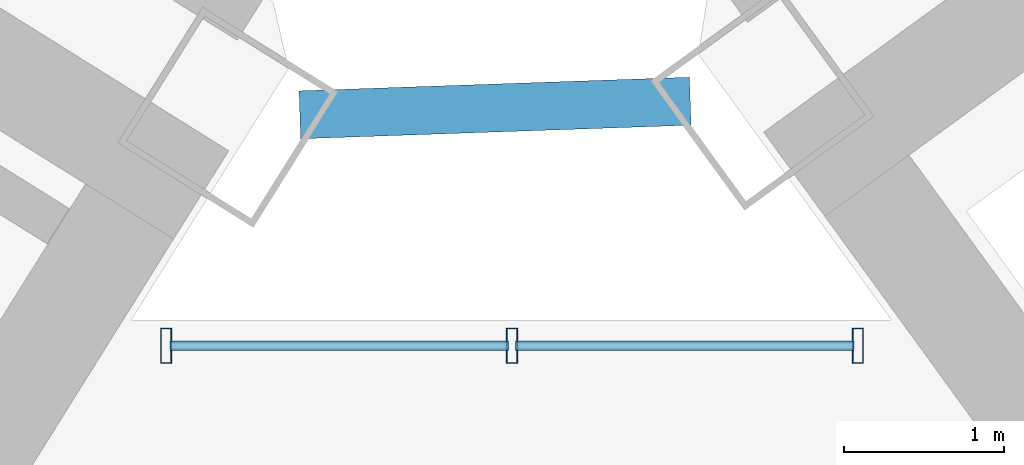
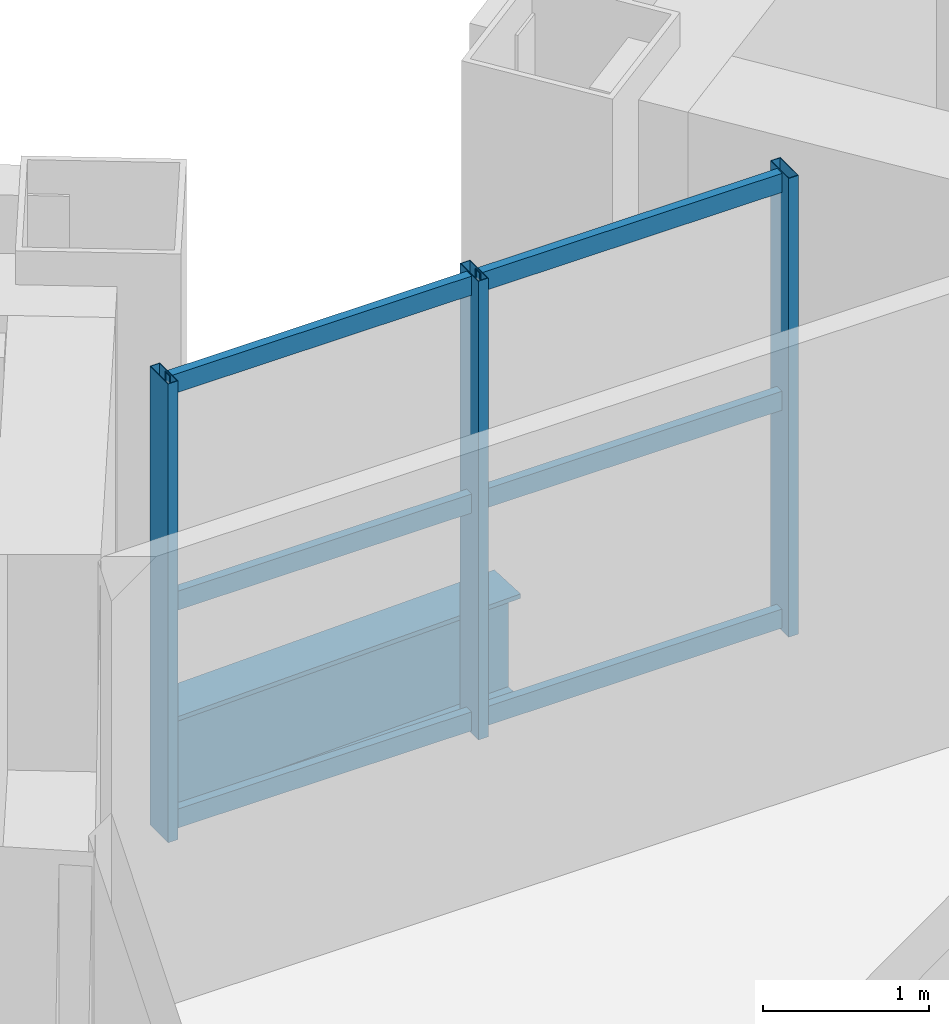
# One storey, part 11 of 24: 9 members, 1 beam, 1 element without a shape of its own.
"""IFC4 building model written with IfcOpenShell, lengths in metres."""

import ifcopenshell
import ifcopenshell.guid

model = None  # the IFC model being written
_history = None  # IfcOwnerHistory: only IFC2X3 demands one
_inside = {}  # id of a spatial element -> (the spatial element, [elements in it])
_under = {}  # id of a project, library or spatial element -> (it, [spatial elements below it])
_declared = {}  # id of a project -> (the project, [libraries it declares])
_typed = {}  # id of a type object -> (the type object, [elements of that type])
_made_of = {}  # id of a material, layer set ... -> (it, [elements and type objects made of it])


def new_model(schema):
    """Start an empty IFC model of exactly this schema.

    Asked for "IFC4X3", IfcOpenShell would pick the latest addendum, in which some entities
    have other attributes; the version numbers below select the first issue.
    IFC2X3 requires an IfcOwnerHistory on every rooted entity: one is made here for all.
    """
    global model, _history
    if schema == "IFC4X3":
        model = ifcopenshell.file(schema_version=(4, 3, 0, 0))
    else:
        model = ifcopenshell.file(schema=schema)
    _inside.clear()
    _under.clear()
    _declared.clear()
    _typed.clear()
    _made_of.clear()
    _history = None
    if model.schema == "IFC2X3":
        org = make("IfcOrganization", Name="unknown")
        user = make(
            "IfcPersonAndOrganization",
            ThePerson=make("IfcPerson", FamilyName="unknown"),
            TheOrganization=org,
        )
        app = make(
            "IfcApplication",
            ApplicationDeveloper=org,
            Version="unknown",
            ApplicationFullName="unknown",
            ApplicationIdentifier="unknown",
        )
        _history = make(
            "IfcOwnerHistory",
            OwningUser=user,
            OwningApplication=app,
            ChangeAction="ADDED",
            CreationDate=0,
        )
    return model


def make(cls, **values):
    """One entity of the class cls with the attributes given. An attribute that is None is left unset."""
    return model.create_entity(
        cls, **{name: value for name, value in values.items() if value is not None}
    )


def rooted(cls, **values):
    """An entity with a GlobalId (a new one), such as an element, a storey or a relation."""
    return make(cls, GlobalId=ifcopenshell.guid.new(), OwnerHistory=_history, **values)


def si_unit(unit_type, name, prefix=None):
    """IfcSIUnit, for example si_unit("LENGTHUNIT", "METRE", prefix="MILLI")."""
    return make("IfcSIUnit", UnitType=unit_type, Prefix=prefix, Name=name)


def assignment(units):
    """IfcUnitAssignment: the units of a project."""
    return None if units is None else make("IfcUnitAssignment", Units=units)


def point(xyz):
    """IfcCartesianPoint."""
    return None if xyz is None else make("IfcCartesianPoint", Coordinates=xyz)


def direction(xyz):
    """IfcDirection."""
    return None if xyz is None else make("IfcDirection", DirectionRatios=xyz)


def frame(location, z_axis=None, x_axis=None):
    """IfcAxis2Placement3D, a coordinate frame: its origin and axes. An axis left out is left unset."""
    return make(
        "IfcAxis2Placement3D",
        Location=point(location),
        Axis=direction(z_axis),
        RefDirection=direction(x_axis),
    )


def frame_2d(location, x_axis=None):
    """IfcAxis2Placement2D, a coordinate frame in the plane: its origin and x axis."""
    return make(
        "IfcAxis2Placement2D", Location=point(location), RefDirection=direction(x_axis)
    )


def origin():
    """The frame at (0, 0, 0) with its axes left unset."""
    return frame((0.0, 0.0, 0.0))


def origin_2d():
    """The frame at (0, 0) in the plane with its x axis left unset."""
    return frame_2d((0.0, 0.0))


def place(relative_to, where):
    """IfcLocalPlacement: puts the frame where relative to a parent placement (None: the world)."""
    return make(
        "IfcLocalPlacement", PlacementRelTo=relative_to, RelativePlacement=where
    )


def context(
    kind, dimensions, precision=None, world=None, true_north=None, identifier=None
):
    """IfcGeometricRepresentationContext, for example the 3D "Model" context."""
    return make(
        "IfcGeometricRepresentationContext",
        ContextIdentifier=identifier,
        ContextType=kind,
        CoordinateSpaceDimension=dimensions,
        Precision=precision,
        WorldCoordinateSystem=world,
        TrueNorth=true_north,
    )


def subcontext(parent, identifier, kind, view, scale=None):
    """IfcGeometricRepresentationSubContext, for example "Body" below "Model"."""
    return make(
        "IfcGeometricRepresentationSubContext",
        ContextIdentifier=identifier,
        ContextType=kind,
        ParentContext=parent,
        TargetScale=scale,
        TargetView=view,
    )


def project(units=None, contexts=None):
    """IfcProject with its units and contexts."""
    return rooted(
        "IfcProject",
        Name="project",
        RepresentationContexts=contexts,
        UnitsInContext=assignment(units),
    )


def spatial(cls, under=None, at=None, **own):
    """A site, building, storey or space (cls), placed at a placement, below another one or the project."""
    s = rooted(cls, ObjectPlacement=at, **own)
    if under is not None:
        _under.setdefault(under.id(), (under, []))[1].append(s)
    return s


def profile(cls, at=None, kind="AREA", **sizes):
    """A parametric profile (cls). Its sizes go by their IFC names, for example OverallWidth=200.0."""
    return make(cls, ProfileType=kind, Position=at, **sizes)


def hollow_rectangle(**sizes):
    """IfcRectangleHollowProfileDef."""
    return profile("IfcRectangleHollowProfileDef", **sizes)


def i_section(**sizes):
    """IfcIShapeProfileDef."""
    return profile("IfcIShapeProfileDef", **sizes)


def extrude(swept, where, along, depth):
    """IfcExtrudedAreaSolid: the profile swept, set in the frame where, extruded along a direction by depth."""
    return make(
        "IfcExtrudedAreaSolid",
        SweptArea=swept,
        Position=where,
        ExtrudedDirection=direction(along),
        Depth=depth,
    )


def shape(context_of_items, identifier, shape_type, items):
    """IfcShapeRepresentation: the items that make up one representation, for example the "Body"."""
    return make(
        "IfcShapeRepresentation",
        ContextOfItems=context_of_items,
        RepresentationIdentifier=identifier,
        RepresentationType=shape_type,
        Items=items,
    )


def source(mapping_origin, context_of_items, identifier, shape_type, items):
    """IfcRepresentationMap: a shape defined once, which mapped items show again and again."""
    return make(
        "IfcRepresentationMap",
        MappingOrigin=mapping_origin,
        MappedRepresentation=shape(context_of_items, identifier, shape_type, items),
    )


def transform(
    local_origin,
    x_axis=None,
    y_axis=None,
    z_axis=None,
    scale=None,
    scale2=None,
    scale3=None,
    uniform=True,
):
    """IfcCartesianTransformationOperator3D, or its non-uniform kind. x_axis, y_axis, z_axis: its Axis1, 2, 3."""
    if uniform:
        return make(
            "IfcCartesianTransformationOperator3D",
            Axis1=direction(x_axis),
            Axis2=direction(y_axis),
            LocalOrigin=point(local_origin),
            Scale=scale,
            Axis3=direction(z_axis),
        )
    return make(
        "IfcCartesianTransformationOperator3DnonUniform",
        Axis1=direction(x_axis),
        Axis2=direction(y_axis),
        LocalOrigin=point(local_origin),
        Scale=scale,
        Axis3=direction(z_axis),
        Scale2=scale2,
        Scale3=scale3,
    )


def mapped(mapping_source, mapping_target):
    """IfcMappedItem: shows the shape of a source again, moved by a transform."""
    return make(
        "IfcMappedItem", MappingSource=mapping_source, MappingTarget=mapping_target
    )


def material(Name=None, Category=None):
    """IfcMaterial."""
    return make("IfcMaterial", Name=Name, Category=Category)


def material_profile(
    of_material, cross_section, Name=None, Category=None, Priority=None
):
    """IfcMaterialProfile: a cross section and its material."""
    return make(
        "IfcMaterialProfile",
        Name=Name,
        Material=of_material,
        Profile=cross_section,
        Priority=Priority,
        Category=Category,
    )


def profile_set(profiles, Name=None, composite=None):
    """IfcMaterialProfileSet."""
    return make(
        "IfcMaterialProfileSet",
        Name=Name,
        MaterialProfiles=profiles,
        CompositeProfile=composite,
    )


def made_of(thing, what):
    """Note that an element or type object is made of a material, layer set ...; save() writes the relation."""
    if what is not None:
        _made_of.setdefault(what.id(), (what, []))[1].append(thing)
    return thing


def type_object(cls, material=None, **own):
    """A type object (cls), such as IfcWallType, which elements share."""
    return made_of(rooted(cls, **own), material)


def element(
    cls,
    number,
    at=None,
    inside=None,
    cuts=None,
    type_object=None,
    material=None,
    context=None,
    identifier="Body",
    shape_type=None,
    held_by="IfcProductDefinitionShape",
    body=None,
    shapes=None,
    **own,
):
    """One element of the class cls, such as IfcWall. Its Tag is "e" and its number.

    at: its placement. inside: the storey or other place that contains it. cuts: it is an
    opening in that element (IfcRelVoidsElement). A single representation is given by context,
    identifier, shape_type and body (its items); several are given by shapes. held_by: the class
    of the entity that holds the representations. save() writes the other relations.
    """
    e = rooted(cls, Tag="e%d" % number, ObjectPlacement=at, **own)
    if body is not None:
        shapes = [shape(context, identifier, shape_type, body)]
    if shapes is not None:
        e.Representation = make(held_by, Representations=shapes)
    if inside is not None:
        _inside.setdefault(inside.id(), (inside, []))[1].append(e)
    if cuts is not None:
        rooted(
            "IfcRelVoidsElement", RelatingBuildingElement=cuts, RelatedOpeningElement=e
        )
    if type_object is not None:
        _typed.setdefault(type_object.id(), (type_object, []))[1].append(e)
    return made_of(e, material)


def aggregate(whole, parts):
    """IfcRelAggregates: a whole, such as a stair, and the parts it consists of."""
    return rooted("IfcRelAggregates", RelatingObject=whole, RelatedObjects=parts)


def save(model, path):
    """Write the relations noted so far, then the file.

    IfcRelAggregates (storeys below a building ...), IfcRelContainedInSpatialStructure (elements
    in a storey), IfcRelDefinesByType, IfcRelAssociatesMaterial and IfcRelDeclares: one each for
    every whole, place, type object, material and project.
    """
    for whole, parts in _under.values():
        aggregate(whole, parts)
    for where, things in _inside.values():
        rooted(
            "IfcRelContainedInSpatialStructure",
            RelatedElements=things,
            RelatingStructure=where,
        )
    for kind, things in _typed.values():
        rooted("IfcRelDefinesByType", RelatedObjects=things, RelatingType=kind)
    for what, things in _made_of.values():
        rooted("IfcRelAssociatesMaterial", RelatedObjects=things, RelatingMaterial=what)
    for by, libraries in _declared.values():
        rooted("IfcRelDeclares", RelatingContext=by, RelatedDefinitions=libraries)
    model.write(path)


model = new_model("IFC4")

# Units and contexts
model_context = context("Model", 3, precision=1e-05, world=origin(), true_north=direction((0.0, 1.0)))
body_context = subcontext(model_context, "Body", "Model", "MODEL_VIEW")
ifc_project = project(units=[si_unit("LENGTHUNIT", "METRE"), si_unit("AREAUNIT", "SQUARE_METRE"), si_unit("VOLUMEUNIT", "CUBIC_METRE"), si_unit("PLANEANGLEUNIT", "RADIAN"), si_unit("MASSUNIT", "GRAM", prefix="KILO")], contexts=[model_context])

# Site, building, storey
site_placement = place(None, origin())
site = spatial("IfcSite", under=ifc_project, at=site_placement, CompositionType="ELEMENT")
building_placement = place(site_placement, origin())
building = spatial("IfcBuilding", under=site, at=building_placement, Name="Tlacorven Tower", CompositionType="ELEMENT")
storey_placement = place(building_placement, frame((0.0, 0.0, 45.60009765625)))
storey = spatial("IfcBuildingStorey", under=building, at=storey_placement, Name="L11", CompositionType="ELEMENT", Elevation=45.60009765625)

# Beam
ifc_material_1 = material(Name="Steel S355J2", Category="steel")
ifc_material_profile_1 = material_profile(ifc_material_1, i_section(OverallWidth=0.300048828125, OverallDepth=0.800048828125, WebThickness=0.017578125, FlangeThickness=0.032958984375, at=origin_2d()), Name="HEB 800")
ifc_profile_set_1 = profile_set([ifc_material_profile_1], Name="Steel S355J2")
beam_type = type_object("IfcBeamType", Name="BM-POD-800", PredefinedType="BEAM", material=ifc_profile_set_1)
shared_shape_1 = source(origin(), body_context, "Body", "SweptSolid", [
    extrude(i_section(OverallWidth=0.300048828125, OverallDepth=0.800048828125, WebThickness=0.017578125, FlangeThickness=0.032958984375, at=origin_2d()), origin(), (0.0, 0.0, 1.0), 2.44287109375),
])
beam_placement = place(storey_placement, frame((41.232666015625, 24.484130859375, -0.650146484375), z_axis=(0.999391550767, 0.034878765122, 0.0), x_axis=(-0.034878765122, 0.999391550767, 0.0)))
element("IfcBeam", 1, at=beam_placement, inside=storey, type_object=beam_type, Name="L11 Knuckle Link Girder 1", PredefinedType="BEAM", context=body_context, shape_type="MappedRepresentation", body=[
    mapped(shared_shape_1, transform((0.0, 0.0, 0.0), scale=1.0)),
])

# Curtain wall, members
ifc_material_2 = material(Name="Dark solar low-E double glazing in aluminium frame", Category="aluminium")
curtain_wall_type = type_object("IfcCurtainWallType", Name="CW-TWR-LOW", PredefinedType="USERDEFINED", material=ifc_material_2)
curtain_wall_placement = place(storey_placement, origin())
curtain_wall = element("IfcCurtainWall", 2, at=curtain_wall_placement, inside=storey, type_object=curtain_wall_type, Name="L11 CW-TWR-LOW Curtain Wall 62", ObjectType="UNITISED CURTAIN WALL", PredefinedType="USERDEFINED")
ifc_material_3 = material(Name="Aluminium 6063-T6 anodised", Category="aluminium")
ifc_material_profile_2 = material_profile(ifc_material_3, hollow_rectangle(XDim=0.06005859375, YDim=0.139892578125, WallThickness=0.00390625, at=origin_2d()), Name="ALU TRANSOM 60X140")
ifc_profile_set_2 = profile_set([ifc_material_profile_2], Name="Aluminium 6063-T6 anodised")
member_type_1 = type_object("IfcMemberType", Name="CWT-02", PredefinedType="USERDEFINED", material=ifc_profile_set_2)
shared_shape_2 = source(origin(), body_context, "Body", "SweptSolid", [
    extrude(hollow_rectangle(XDim=0.06005859375, YDim=0.139892578125, WallThickness=0.00390625, at=origin_2d()), origin(), (0.0, 0.0, 1.0), 2.116455078125),
])
member_1_placement = place(storey_placement, frame((40.419921875, 23.0400390625, 0.06982421875), z_axis=(1.0, 0.0, 0.0), x_axis=(0.0, 1.0, 0.0)))
member_1 = element("IfcMember", 3, at=member_1_placement, type_object=member_type_1, Name="CW-L11-062 Transom 1", ObjectType="TRANSOM", PredefinedType="USERDEFINED", context=body_context, shape_type="MappedRepresentation", body=[
    mapped(shared_shape_2, transform((0.0, 0.0, 0.0), scale=1.0)),
])
member_2_placement = place(storey_placement, frame((40.419921875, 23.0400390625, 1.6748046875), z_axis=(1.0, 0.0, 0.0), x_axis=(0.0, 1.0, 0.0)))
member_2 = element("IfcMember", 4, at=member_2_placement, type_object=member_type_1, Name="CW-L11-062 Transom 2", ObjectType="TRANSOM", PredefinedType="USERDEFINED", context=body_context, shape_type="MappedRepresentation", body=[
    mapped(shared_shape_2, transform((0.0, 0.0, 0.0), scale=1.0)),
])
member_3_placement = place(storey_placement, frame((40.419921875, 23.0400390625, 3.27978515625), z_axis=(1.0, 0.0, 0.0), x_axis=(0.0, 1.0, 0.0)))
member_3 = element("IfcMember", 5, at=member_3_placement, type_object=member_type_1, Name="CW-L11-062 Transom 3", ObjectType="TRANSOM", PredefinedType="USERDEFINED", context=body_context, shape_type="MappedRepresentation", body=[
    mapped(shared_shape_2, transform((0.0, 0.0, 0.0), scale=1.0)),
])
shared_shape_3 = source(origin(), body_context, "Body", "SweptSolid", [
    extrude(hollow_rectangle(XDim=0.06005859375, YDim=0.139892578125, WallThickness=0.00390625, at=origin_2d()), origin(), (0.0, 0.0, 1.0), 2.11669921875),
])
member_4_placement = place(storey_placement, frame((42.582275390625, 23.0400390625, 0.06982421875), z_axis=(1.0, 0.0, 0.0), x_axis=(0.0, 1.0, 0.0)))
member_4 = element("IfcMember", 6, at=member_4_placement, type_object=member_type_1, Name="CW-L11-062 Transom 4", ObjectType="TRANSOM", PredefinedType="USERDEFINED", context=body_context, shape_type="MappedRepresentation", body=[
    mapped(shared_shape_3, transform((0.0, 0.0, 0.0), scale=1.0)),
])
member_5_placement = place(storey_placement, frame((42.582275390625, 23.0400390625, 1.6748046875), z_axis=(1.0, 0.0, 0.0), x_axis=(0.0, 1.0, 0.0)))
member_5 = element("IfcMember", 7, at=member_5_placement, type_object=member_type_1, Name="CW-L11-062 Transom 5", ObjectType="TRANSOM", PredefinedType="USERDEFINED", context=body_context, shape_type="MappedRepresentation", body=[
    mapped(shared_shape_3, transform((0.0, 0.0, 0.0), scale=1.0)),
])
member_6_placement = place(storey_placement, frame((42.582275390625, 23.0400390625, 3.27978515625), z_axis=(1.0, 0.0, 0.0), x_axis=(0.0, 1.0, 0.0)))
member_6 = element("IfcMember", 8, at=member_6_placement, type_object=member_type_1, Name="CW-L11-062 Transom 6", ObjectType="TRANSOM", PredefinedType="USERDEFINED", context=body_context, shape_type="MappedRepresentation", body=[
    mapped(shared_shape_3, transform((0.0, 0.0, 0.0), scale=1.0)),
])
ifc_material_profile_3 = material_profile(ifc_material_3, hollow_rectangle(XDim=0.070068359375, YDim=0.219970703125, WallThickness=0.0048828125, at=origin_2d()), Name="ALU MULLION 70X220")
ifc_profile_set_3 = profile_set([ifc_material_profile_3], Name="Aluminium 6063-T6 anodised")
member_type_2 = type_object("IfcMemberType", Name="CWM-01", PredefinedType="MULLION", material=ifc_profile_set_3)
shared_shape_4 = source(origin(), body_context, "Body", "SweptSolid", [
    extrude(hollow_rectangle(XDim=0.070068359375, YDim=0.219970703125, WallThickness=0.0048828125, at=origin_2d()), origin(), (0.0, 0.0, 1.0), 3.3798828125),
])
member_7_placement = place(storey_placement, frame((40.396728515625, 23.0400390625, -0.02001953125), z_axis=(0.0, 0.0, 1.0), x_axis=(1.0, 0.0, 0.0)))
member_7 = element("IfcMember", 9, at=member_7_placement, type_object=member_type_2, Name="CW-L11-062 Mullion 1", PredefinedType="MULLION", context=body_context, shape_type="MappedRepresentation", body=[
    mapped(shared_shape_4, transform((0.0, 0.0, 0.0), scale=1.0)),
])
member_8_placement = place(storey_placement, frame((42.559326171875, 23.0400390625, -0.02001953125), z_axis=(0.0, 0.0, 1.0), x_axis=(1.0, 0.0, 0.0)))
member_8 = element("IfcMember", 10, at=member_8_placement, type_object=member_type_2, Name="CW-L11-062 Mullion 2", PredefinedType="MULLION", context=body_context, shape_type="MappedRepresentation", body=[
    mapped(shared_shape_4, transform((0.0, 0.0, 0.0), scale=1.0)),
])
member_9_placement = place(storey_placement, frame((44.721923828125, 23.0400390625, -0.02001953125), z_axis=(0.0, 0.0, 1.0), x_axis=(1.0, 0.0, 0.0)))
member_9 = element("IfcMember", 11, at=member_9_placement, type_object=member_type_2, Name="CW-L11-062 Mullion 3", PredefinedType="MULLION", context=body_context, shape_type="MappedRepresentation", body=[
    mapped(shared_shape_4, transform((0.0, 0.0, 0.0), scale=1.0)),
])
aggregate(curtain_wall, [member_7, member_8, member_9, member_1, member_2, member_3, member_4, member_5, member_6])

save(model, "model.ifc")
